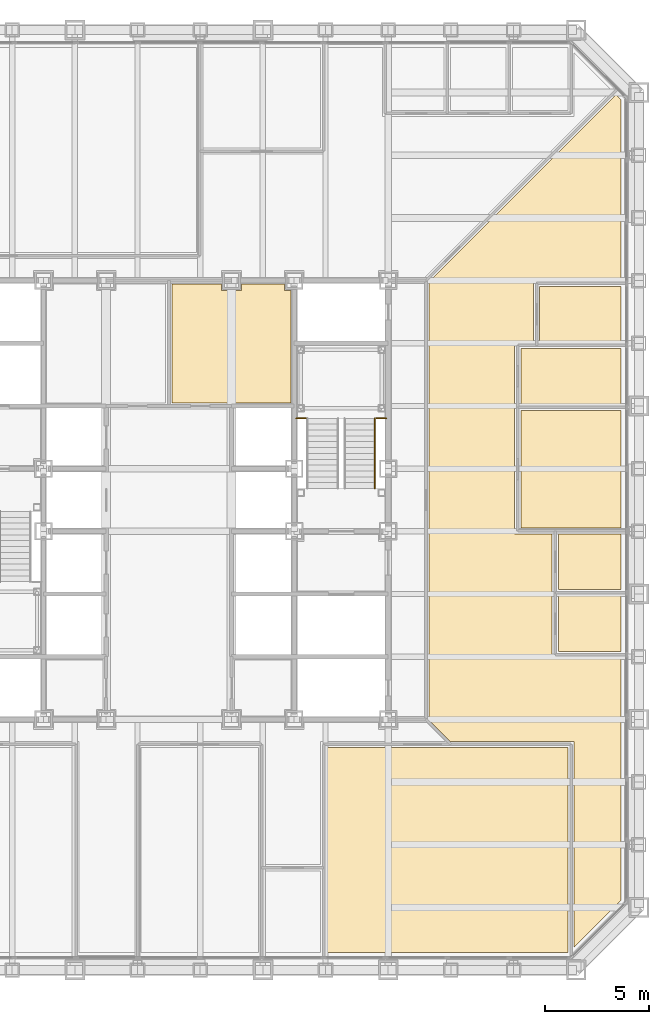
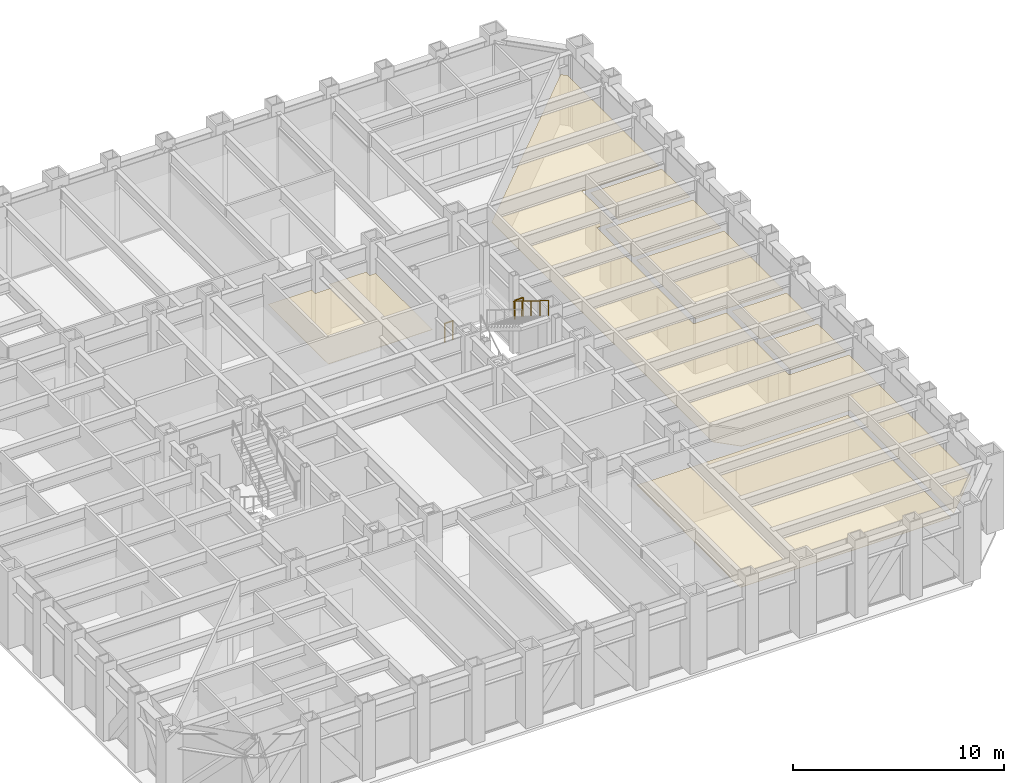
# One storey, part 16 of 17: 8 coverings, 3 railings.
"""IFC4 building model written with IfcOpenShell, lengths in metres."""

from ifc_helpers import new_model, si_unit, direction, frame, origin, origin_2d, place, context, subcontext, project, spatial, polyline, circle, outline, extrude, material, layer, layer_set, type_object, element, save


model = new_model("IFC4")

# Units and contexts
model_context = context("Model", 3, precision=1e-05, world=origin(), true_north=direction((0.0, 1.0)))
body_context = subcontext(model_context, "Body", "Model", "MODEL_VIEW")
ifc_project = project(units=[si_unit("LENGTHUNIT", "METRE"), si_unit("AREAUNIT", "SQUARE_METRE"), si_unit("VOLUMEUNIT", "CUBIC_METRE"), si_unit("PLANEANGLEUNIT", "RADIAN"), si_unit("MASSUNIT", "GRAM", prefix="KILO")], contexts=[model_context])

# Site, building, storey
site_placement = place(None, origin())
site = spatial("IfcSite", under=ifc_project, at=site_placement, CompositionType="ELEMENT")
building_placement = place(site_placement, origin())
building = spatial("IfcBuilding", under=site, at=building_placement, Name="Chuquiago Exchange Tower", CompositionType="ELEMENT")
storey_placement = place(building_placement, frame((0.0, 0.0, 69.300048828125)))
storey = spatial("IfcBuildingStorey", under=building, at=storey_placement, Name="L14", CompositionType="ELEMENT", Elevation=69.300048828125)

# Coverings
ifc_material_1 = material(Name="Mineral fibre tile, 600 x 600, on pale metal grid", Category="mineral fibre")
ifc_layer_1 = layer(ifc_material_1, 0.02001953125)
ifc_layer_set_1 = layer_set([ifc_layer_1], Name="CL1 suspended tile ceiling 20")
covering_type_1 = type_object("IfcCoveringType", Name="CL1 suspended tile ceiling 20", PredefinedType="CEILING", material=ifc_layer_set_1)
covering_1_placement = place(storey_placement, frame((0.0, 0.0, 3.0)))
element("IfcCovering", 1, at=covering_1_placement, inside=storey, type_object=covering_type_1, Name="Ceiling Trading room", PredefinedType="CEILING", context=body_context, shape_type="SweptSolid", body=[
    extrude(outline(polyline([(30.054443359375, 0.85009765625), (30.054443359375, 10.64990234375), (41.6015625, 10.64990234375), (41.6015625, 0.85009765625), (30.054443359375, 0.85009765625)])), origin(), (0.0, 0.0, 1.0), 0.02001953125),
])
covering_2_placement = place(storey_placement, frame((0.0, 0.0, 3.0)))
element("IfcCovering", 2, at=covering_2_placement, inside=storey, type_object=covering_type_1, Name="Ceiling Focus room", PredefinedType="CEILING", context=body_context, shape_type="SweptSolid", body=[
    extrude(outline(polyline([(41.14990234375, 15.24560546875), (41.14990234375, 17.907470703125), (44.14990234375, 17.907470703125), (44.14990234375, 15.24560546875), (41.14990234375, 15.24560546875)])), origin(), (0.0, 0.0, 1.0), 0.02001953125),
])
covering_3_placement = place(storey_placement, frame((0.0, 0.0, 3.0)))
element("IfcCovering", 3, at=covering_3_placement, inside=storey, type_object=covering_type_1, Name="Ceiling Focus room", PredefinedType="CEILING", context=body_context, shape_type="SweptSolid", body=[
    extrude(outline(polyline([(41.14990234375, 18.20751953125), (41.14990234375, 20.869140625), (44.14990234375, 20.869140625), (44.14990234375, 18.20751953125), (41.14990234375, 18.20751953125)])), origin(), (0.0, 0.0, 1.0), 0.02001953125),
])
covering_4_placement = place(storey_placement, frame((0.0, 0.0, 3.0)))
element("IfcCovering", 4, at=covering_4_placement, inside=storey, type_object=covering_type_1, Name="Ceiling Meeting room", PredefinedType="CEILING", context=body_context, shape_type="SweptSolid", body=[
    extrude(outline(polyline([(39.35009765625, 21.169189453125), (39.35009765625, 26.79248046875), (44.14990234375, 26.79248046875), (44.14990234375, 21.169189453125), (39.35009765625, 21.169189453125)])), origin(), (0.0, 0.0, 1.0), 0.02001953125),
])
covering_5_placement = place(storey_placement, frame((0.0, 0.0, 3.0)))
element("IfcCovering", 5, at=covering_5_placement, inside=storey, type_object=covering_type_1, Name="Ceiling Office", PredefinedType="CEILING", context=body_context, shape_type="SweptSolid", body=[
    extrude(outline(polyline([(39.35009765625, 27.092529296875), (39.35009765625, 29.75439453125), (44.14990234375, 29.75439453125), (44.14990234375, 27.092529296875), (39.35009765625, 27.092529296875)])), origin(), (0.0, 0.0, 1.0), 0.02001953125),
])
covering_6_placement = place(storey_placement, frame((0.0, 0.0, 3.0)))
element("IfcCovering", 6, at=covering_6_placement, inside=storey, type_object=covering_type_1, Name="Ceiling Comms room", PredefinedType="CEILING", context=body_context, shape_type="SweptSolid", body=[
    extrude(outline(polyline([(40.25, 30.054443359375), (40.25, 32.71630859375), (44.14990234375, 32.71630859375), (44.14990234375, 30.054443359375), (40.25, 30.054443359375)])), origin(), (0.0, 0.0, 1.0), 0.02001953125),
])
covering_7_placement = place(storey_placement, frame((0.0, 0.0, 3.0)))
element("IfcCovering", 7, at=covering_7_placement, inside=storey, type_object=covering_type_1, Name="Ceiling Trading floor east", PredefinedType="CEILING", context=body_context, shape_type="SweptSolid", body=[
    extrude(outline(polyline([(34.949951171875, 32.9375), (43.905517578125, 41.892578125), (44.14990234375, 41.64794921875), (44.14990234375, 33.01611328125), (39.949951171875, 33.01611328125), (39.949951171875, 30.054443359375), (39.050048828125, 30.054443359375), (39.050048828125, 20.869140625), (40.85009765625, 20.869140625), (40.85009765625, 14.945556640625), (44.14990234375, 14.945556640625), (44.14990234375, 3.35205078125), (41.901611328125, 1.103515625), (41.901611328125, 10.949951171875), (35.948974609375, 10.949951171875), (34.949951171875, 11.948974609375), (34.949951171875, 32.9375)])), origin(), (0.0, 0.0, 1.0), 0.02001953125),
])
ifc_material_2 = material(Name="Moisture resistant plasterboard on metal frame", Category="gypsum")
ifc_layer_2 = layer(ifc_material_2, 0.014892578125)
ifc_layer_set_2 = layer_set([ifc_layer_2], Name="CL2 moisture resistant ceiling 15")
covering_type_2 = type_object("IfcCoveringType", Name="CL2 moisture resistant ceiling 15", PredefinedType="CEILING", material=ifc_layer_set_2)
covering_8_placement = place(storey_placement, frame((0.0, 0.0, 2.599853515625)))
element("IfcCovering", 8, at=covering_8_placement, inside=storey, type_object=covering_type_2, Name="Ceiling Female WC", PredefinedType="CEILING", context=body_context, shape_type="SweptSolid", body=[
    extrude(outline(polyline([(22.64990234375, 27.14990234375), (22.64990234375, 32.85009765625), (25.02490234375, 32.85009765625), (25.02490234375, 32.52490234375), (25.97509765625, 32.52490234375), (25.97509765625, 32.85009765625), (28.02490234375, 32.85009765625), (28.02490234375, 32.52490234375), (28.35009765625, 32.52490234375), (28.35009765625, 27.14990234375), (22.64990234375, 27.14990234375)])), origin(), (0.0, 0.0, 1.0), 0.01513671875),
])

# Railings
ifc_material_3 = material(Name="Pale metal guard with safety glass infill", Category="glass")
railing_type_1 = type_object("IfcRailingType", Name="GR1 guard 1100", PredefinedType="GUARDRAIL", material=ifc_material_3)
for number, where, name in (
    (9, (28.60009765625, 26.409912109375, 2.25), "Guard ST2 L14 landing 2"),
    (10, (32.445068359375, 26.409912109375, 2.25), "Guard ST2 L14 landing 2"),
):
    element("IfcRailing", number, at=place(storey_placement, frame(where)), inside=storey, type_object=railing_type_1, Name=name, PredefinedType="GUARDRAIL", context=body_context, shape_type="SweptSolid", body=[
        extrude(circle(Radius=0.02392578125, at=origin_2d()), frame((0.0, 0.0, 1.076171875), z_axis=(1.0, 0.0, 0.0), x_axis=(0.0, 1.0, 0.0)), (0.0, 0.0, 1.0), 0.454833984375),
        extrude(circle(Radius=0.02099609375, at=origin_2d()), origin(), (0.0, 0.0, 1.0), 1.052001953125),
        extrude(circle(Radius=0.02099609375, at=origin_2d()), frame((0.454833984375, 0.0, 0.0)), (0.0, 0.0, 1.0), 1.052001953125),
    ])
ifc_material_4 = material(Name="Pale metal handrail", Category="steel")
railing_type_2 = type_object("IfcRailingType", Name="HR1 handrail 900", PredefinedType="HANDRAIL", material=ifc_material_4)
railing_placement = place(storey_placement, frame((32.364990234375, 26.409912109375, 2.423095703125)))
element("IfcRailing", 11, at=railing_placement, inside=storey, type_object=railing_type_2, Name="Handrail ST2 L14 flight 2", PredefinedType="HANDRAIL", context=body_context, shape_type="SweptSolid", body=[
    extrude(circle(Radius=0.02392578125, at=origin_2d()), frame((0.0, 0.0, 0.8759765625), z_axis=(0.0, -0.850606129759, 0.525803396734), x_axis=(1.0, 0.0, 0.0)), (0.0, 0.0, 1.0), 3.949951171875),
    extrude(circle(Radius=0.02099609375, at=origin_2d()), origin(), (0.0, 0.0, 1.0), 0.851806640625),
    extrude(circle(Radius=0.02099609375, at=origin_2d()), frame((0.0, -0.83984375, 0.519287109375)), (0.0, 0.0, 1.0), 0.851806640625),
    extrude(circle(Radius=0.02099609375, at=origin_2d()), frame((0.0, -1.679931640625, 1.03857421875)), (0.0, 0.0, 1.0), 0.851806640625),
    extrude(circle(Radius=0.02099609375, at=origin_2d()), frame((0.0, -2.52001953125, 1.5576171875)), (0.0, 0.0, 1.0), 0.851806640625),
    extrude(circle(Radius=0.02099609375, at=origin_2d()), frame((0.0, -3.35986328125, 2.076904296875)), (0.0, 0.0, 1.0), 0.851806640625),
])

save(model, "model.ifc")
